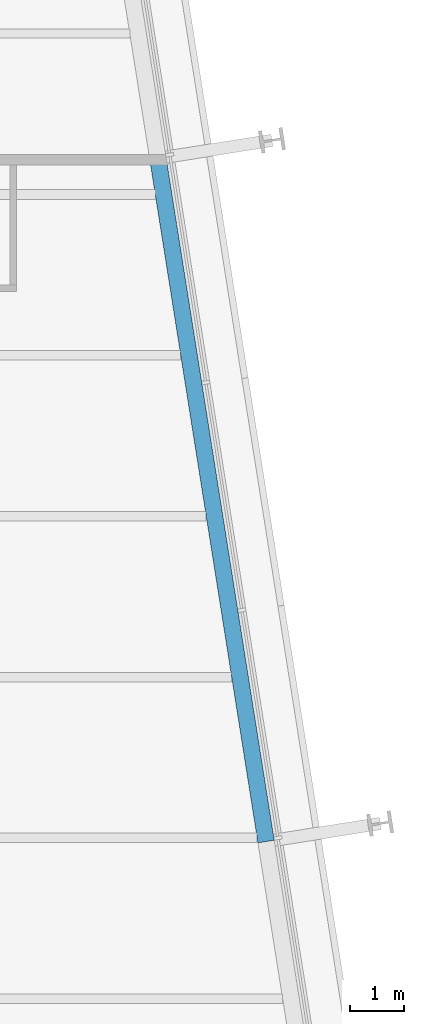
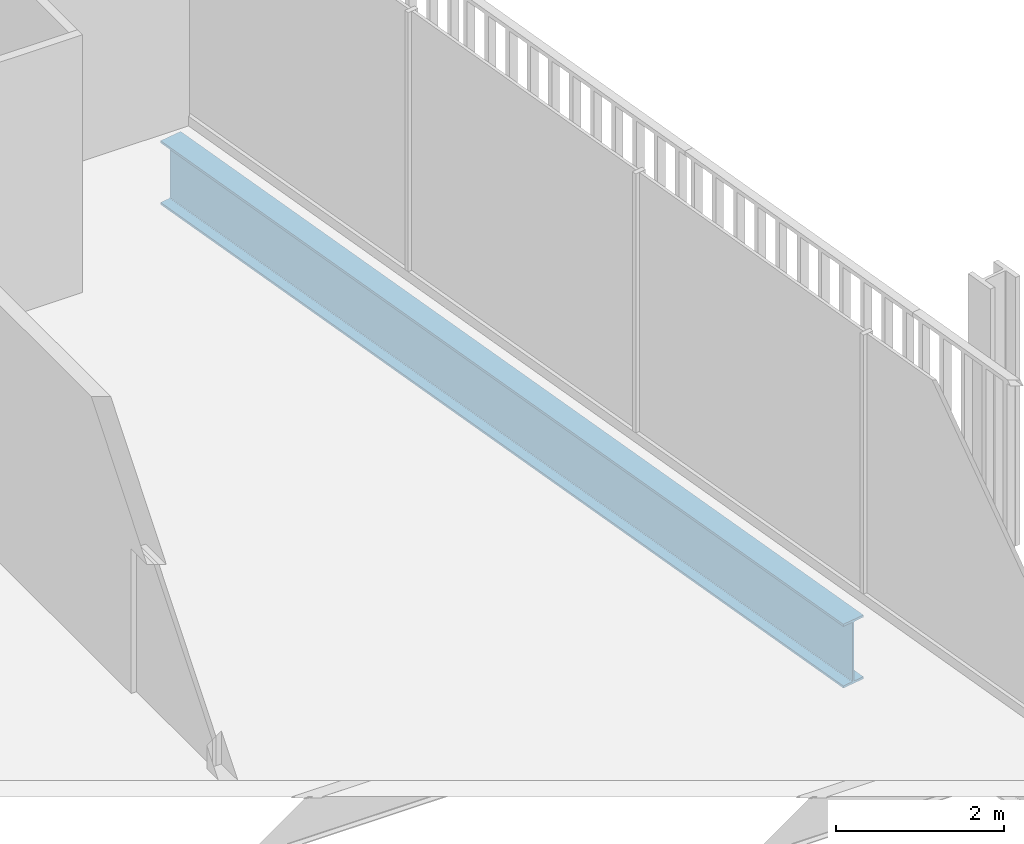
# One storey, part 9 of 21: 1 beam.
"""IFC4 building model written with IfcOpenShell, lengths in metres."""

import ifcopenshell
import ifcopenshell.guid

model = None  # the IFC model being written
_history = None  # IfcOwnerHistory: only IFC2X3 demands one
_inside = {}  # id of a spatial element -> (the spatial element, [elements in it])
_under = {}  # id of a project, library or spatial element -> (it, [spatial elements below it])
_declared = {}  # id of a project -> (the project, [libraries it declares])
_typed = {}  # id of a type object -> (the type object, [elements of that type])
_made_of = {}  # id of a material, layer set ... -> (it, [elements and type objects made of it])


def new_model(schema):
    """Start an empty IFC model of exactly this schema.

    Asked for "IFC4X3", IfcOpenShell would pick the latest addendum, in which some entities
    have other attributes; the version numbers below select the first issue.
    IFC2X3 requires an IfcOwnerHistory on every rooted entity: one is made here for all.
    """
    global model, _history
    if schema == "IFC4X3":
        model = ifcopenshell.file(schema_version=(4, 3, 0, 0))
    else:
        model = ifcopenshell.file(schema=schema)
    _inside.clear()
    _under.clear()
    _declared.clear()
    _typed.clear()
    _made_of.clear()
    _history = None
    if model.schema == "IFC2X3":
        org = make("IfcOrganization", Name="unknown")
        user = make(
            "IfcPersonAndOrganization",
            ThePerson=make("IfcPerson", FamilyName="unknown"),
            TheOrganization=org,
        )
        app = make(
            "IfcApplication",
            ApplicationDeveloper=org,
            Version="unknown",
            ApplicationFullName="unknown",
            ApplicationIdentifier="unknown",
        )
        _history = make(
            "IfcOwnerHistory",
            OwningUser=user,
            OwningApplication=app,
            ChangeAction="ADDED",
            CreationDate=0,
        )
    return model


def make(cls, **values):
    """One entity of the class cls with the attributes given. An attribute that is None is left unset."""
    return model.create_entity(
        cls, **{name: value for name, value in values.items() if value is not None}
    )


def rooted(cls, **values):
    """An entity with a GlobalId (a new one), such as an element, a storey or a relation."""
    return make(cls, GlobalId=ifcopenshell.guid.new(), OwnerHistory=_history, **values)


def si_unit(unit_type, name, prefix=None):
    """IfcSIUnit, for example si_unit("LENGTHUNIT", "METRE", prefix="MILLI")."""
    return make("IfcSIUnit", UnitType=unit_type, Prefix=prefix, Name=name)


def assignment(units):
    """IfcUnitAssignment: the units of a project."""
    return None if units is None else make("IfcUnitAssignment", Units=units)


def point(xyz):
    """IfcCartesianPoint."""
    return None if xyz is None else make("IfcCartesianPoint", Coordinates=xyz)


def direction(xyz):
    """IfcDirection."""
    return None if xyz is None else make("IfcDirection", DirectionRatios=xyz)


def frame(location, z_axis=None, x_axis=None):
    """IfcAxis2Placement3D, a coordinate frame: its origin and axes. An axis left out is left unset."""
    return make(
        "IfcAxis2Placement3D",
        Location=point(location),
        Axis=direction(z_axis),
        RefDirection=direction(x_axis),
    )


def frame_2d(location, x_axis=None):
    """IfcAxis2Placement2D, a coordinate frame in the plane: its origin and x axis."""
    return make(
        "IfcAxis2Placement2D", Location=point(location), RefDirection=direction(x_axis)
    )


def origin():
    """The frame at (0, 0, 0) with its axes left unset."""
    return frame((0.0, 0.0, 0.0))


def origin_2d():
    """The frame at (0, 0) in the plane with its x axis left unset."""
    return frame_2d((0.0, 0.0))


def place(relative_to, where):
    """IfcLocalPlacement: puts the frame where relative to a parent placement (None: the world)."""
    return make(
        "IfcLocalPlacement", PlacementRelTo=relative_to, RelativePlacement=where
    )


def context(
    kind, dimensions, precision=None, world=None, true_north=None, identifier=None
):
    """IfcGeometricRepresentationContext, for example the 3D "Model" context."""
    return make(
        "IfcGeometricRepresentationContext",
        ContextIdentifier=identifier,
        ContextType=kind,
        CoordinateSpaceDimension=dimensions,
        Precision=precision,
        WorldCoordinateSystem=world,
        TrueNorth=true_north,
    )


def subcontext(parent, identifier, kind, view, scale=None):
    """IfcGeometricRepresentationSubContext, for example "Body" below "Model"."""
    return make(
        "IfcGeometricRepresentationSubContext",
        ContextIdentifier=identifier,
        ContextType=kind,
        ParentContext=parent,
        TargetScale=scale,
        TargetView=view,
    )


def project(units=None, contexts=None):
    """IfcProject with its units and contexts."""
    return rooted(
        "IfcProject",
        Name="project",
        RepresentationContexts=contexts,
        UnitsInContext=assignment(units),
    )


def spatial(cls, under=None, at=None, **own):
    """A site, building, storey or space (cls), placed at a placement, below another one or the project."""
    s = rooted(cls, ObjectPlacement=at, **own)
    if under is not None:
        _under.setdefault(under.id(), (under, []))[1].append(s)
    return s


def profile(cls, at=None, kind="AREA", **sizes):
    """A parametric profile (cls). Its sizes go by their IFC names, for example OverallWidth=200.0."""
    return make(cls, ProfileType=kind, Position=at, **sizes)


def i_section(**sizes):
    """IfcIShapeProfileDef."""
    return profile("IfcIShapeProfileDef", **sizes)


def extrude(swept, where, along, depth):
    """IfcExtrudedAreaSolid: the profile swept, set in the frame where, extruded along a direction by depth."""
    return make(
        "IfcExtrudedAreaSolid",
        SweptArea=swept,
        Position=where,
        ExtrudedDirection=direction(along),
        Depth=depth,
    )


def shape(context_of_items, identifier, shape_type, items):
    """IfcShapeRepresentation: the items that make up one representation, for example the "Body"."""
    return make(
        "IfcShapeRepresentation",
        ContextOfItems=context_of_items,
        RepresentationIdentifier=identifier,
        RepresentationType=shape_type,
        Items=items,
    )


def material(Name=None, Category=None):
    """IfcMaterial."""
    return make("IfcMaterial", Name=Name, Category=Category)


def material_profile(
    of_material, cross_section, Name=None, Category=None, Priority=None
):
    """IfcMaterialProfile: a cross section and its material."""
    return make(
        "IfcMaterialProfile",
        Name=Name,
        Material=of_material,
        Profile=cross_section,
        Priority=Priority,
        Category=Category,
    )


def profile_set(profiles, Name=None, composite=None):
    """IfcMaterialProfileSet."""
    return make(
        "IfcMaterialProfileSet",
        Name=Name,
        MaterialProfiles=profiles,
        CompositeProfile=composite,
    )


def made_of(thing, what):
    """Note that an element or type object is made of a material, layer set ...; save() writes the relation."""
    if what is not None:
        _made_of.setdefault(what.id(), (what, []))[1].append(thing)
    return thing


def type_object(cls, material=None, **own):
    """A type object (cls), such as IfcWallType, which elements share."""
    return made_of(rooted(cls, **own), material)


def element(
    cls,
    number,
    at=None,
    inside=None,
    cuts=None,
    type_object=None,
    material=None,
    context=None,
    identifier="Body",
    shape_type=None,
    held_by="IfcProductDefinitionShape",
    body=None,
    shapes=None,
    **own,
):
    """One element of the class cls, such as IfcWall. Its Tag is "e" and its number.

    at: its placement. inside: the storey or other place that contains it. cuts: it is an
    opening in that element (IfcRelVoidsElement). A single representation is given by context,
    identifier, shape_type and body (its items); several are given by shapes. held_by: the class
    of the entity that holds the representations. save() writes the other relations.
    """
    e = rooted(cls, Tag="e%d" % number, ObjectPlacement=at, **own)
    if body is not None:
        shapes = [shape(context, identifier, shape_type, body)]
    if shapes is not None:
        e.Representation = make(held_by, Representations=shapes)
    if inside is not None:
        _inside.setdefault(inside.id(), (inside, []))[1].append(e)
    if cuts is not None:
        rooted(
            "IfcRelVoidsElement", RelatingBuildingElement=cuts, RelatedOpeningElement=e
        )
    if type_object is not None:
        _typed.setdefault(type_object.id(), (type_object, []))[1].append(e)
    return made_of(e, material)


def aggregate(whole, parts):
    """IfcRelAggregates: a whole, such as a stair, and the parts it consists of."""
    return rooted("IfcRelAggregates", RelatingObject=whole, RelatedObjects=parts)


def save(model, path):
    """Write the relations noted so far, then the file.

    IfcRelAggregates (storeys below a building ...), IfcRelContainedInSpatialStructure (elements
    in a storey), IfcRelDefinesByType, IfcRelAssociatesMaterial and IfcRelDeclares: one each for
    every whole, place, type object, material and project.
    """
    for whole, parts in _under.values():
        aggregate(whole, parts)
    for where, things in _inside.values():
        rooted(
            "IfcRelContainedInSpatialStructure",
            RelatedElements=things,
            RelatingStructure=where,
        )
    for kind, things in _typed.values():
        rooted("IfcRelDefinesByType", RelatedObjects=things, RelatingType=kind)
    for what, things in _made_of.values():
        rooted("IfcRelAssociatesMaterial", RelatedObjects=things, RelatingMaterial=what)
    for by, libraries in _declared.values():
        rooted("IfcRelDeclares", RelatingContext=by, RelatedDefinitions=libraries)
    model.write(path)


model = new_model("IFC4")

# Units and contexts
model_context = context("Model", 3, precision=1e-05, world=origin(), true_north=direction((0.0, 1.0)))
body_context = subcontext(model_context, "Body", "Model", "MODEL_VIEW")
ifc_project = project(units=[si_unit("LENGTHUNIT", "METRE"), si_unit("AREAUNIT", "SQUARE_METRE"), si_unit("VOLUMEUNIT", "CUBIC_METRE"), si_unit("PLANEANGLEUNIT", "RADIAN"), si_unit("MASSUNIT", "GRAM", prefix="KILO")], contexts=[model_context])

# Site, building, storey
site_placement = place(None, origin())
site = spatial("IfcSite", under=ifc_project, at=site_placement, CompositionType="ELEMENT")
building_placement = place(site_placement, origin())
building = spatial("IfcBuilding", under=site, at=building_placement, Name="Millrace Tower", CompositionType="ELEMENT")
storey_placement = place(building_placement, frame((0.0, 0.0, 141.199951171875)))
storey = spatial("IfcBuildingStorey", under=building, at=storey_placement, Name="L31", CompositionType="ELEMENT", Elevation=141.199951171875)

# Beam
ifc_material = material(Name="Steel ASTM A992 Grade 50", Category="steel")
ifc_material_profile = material_profile(ifc_material, i_section(OverallWidth=0.307373046875, OverallDepth=0.927001953125, WebThickness=0.01953125, FlangeThickness=0.031982421875, FilletRadius=0.01904296875, at=origin_2d()))
ifc_profile_set = profile_set([ifc_material_profile], Name="Steel ASTM A992 Grade 50")
beam_type = type_object("IfcBeamType", Name="Ring beam medium span W36x194", PredefinedType="SPANDREL", material=ifc_profile_set)
beam_placement = place(storey_placement, frame((23.25, 9.6728515625, -0.62353515625), z_axis=(0.15642030113, -0.987690583834, 0.0), x_axis=(0.987690583834, 0.15642030113, 0.0)))
element("IfcBeam", 1, at=beam_placement, inside=storey, type_object=beam_type, Name="RNG-C-L31-S1-10", PredefinedType="SPANDREL", context=body_context, shape_type="SweptSolid", body=[
    extrude(i_section(OverallWidth=0.307373046875, OverallDepth=0.927001953125, WebThickness=0.01953125, FlangeThickness=0.031982421875, FilletRadius=0.01904296875, at=origin_2d()), origin(), (0.0, 0.0, 1.0), 12.89990234375),
])

save(model, "model.ifc")
